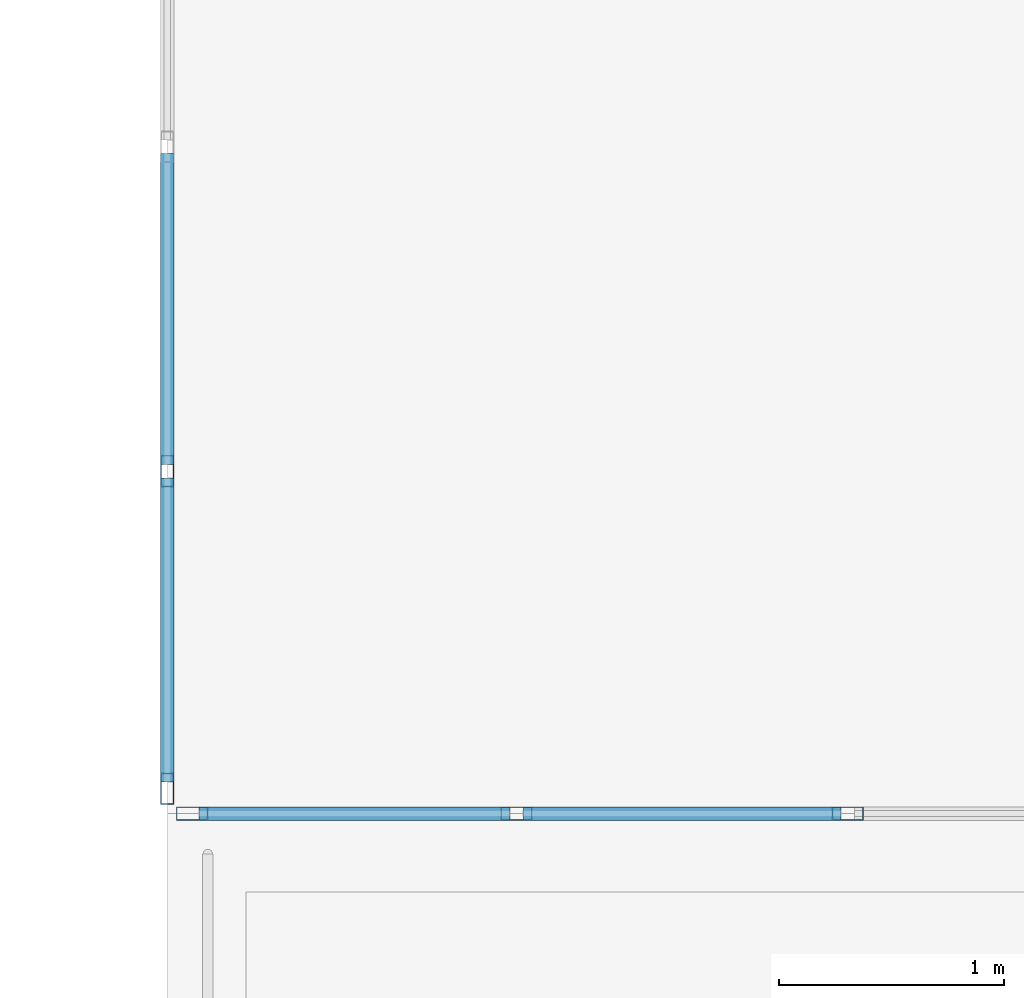
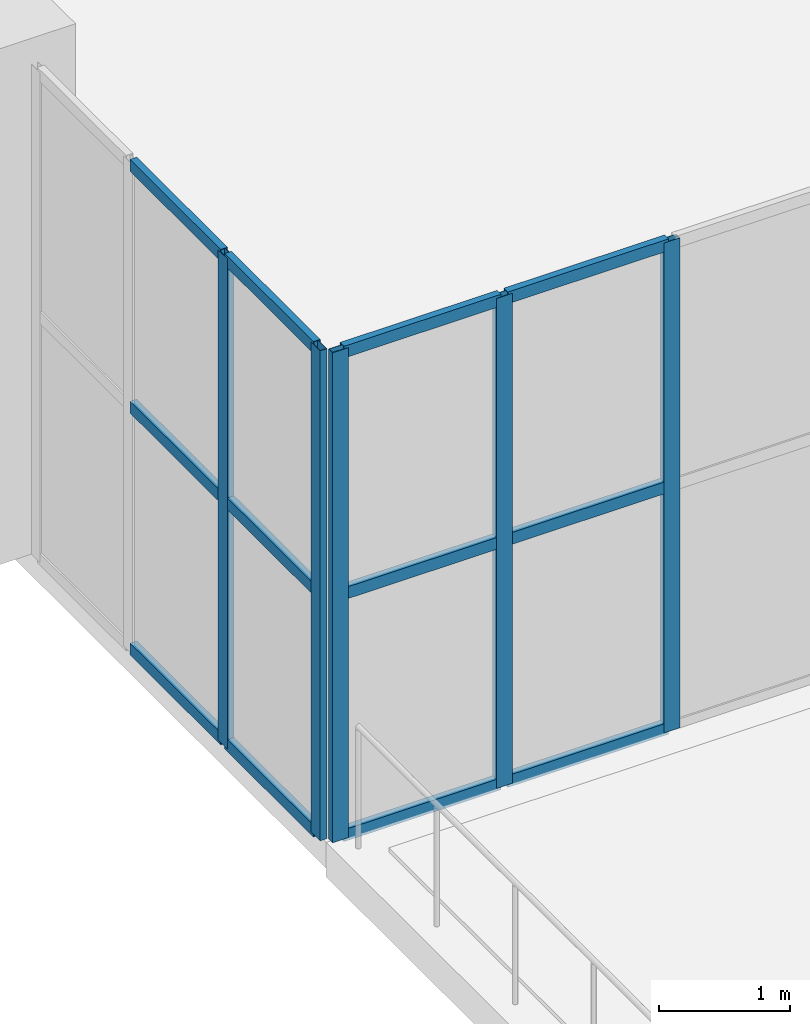
# One storey, part 43 of 158: 17 members, 2 elements without a shape of their own.
"""IFC4 building model written with IfcOpenShell, lengths in metres."""

from ifc_helpers import new_model, si_unit, direction, frame, origin, origin_2d, place, context, subcontext, project, spatial, hollow_rectangle, extrude, material, layer, layer_set, material_profile, profile_set, type_object, element, aggregate, save


model = new_model("IFC4")

# Units and contexts
model_context = context("Model", 3, precision=1e-05, world=origin(), true_north=direction((0.0, 1.0)))
body_context = subcontext(model_context, "Body", "Model", "MODEL_VIEW")
ifc_project = project(units=[si_unit("LENGTHUNIT", "METRE"), si_unit("AREAUNIT", "SQUARE_METRE"), si_unit("VOLUMEUNIT", "CUBIC_METRE"), si_unit("PLANEANGLEUNIT", "RADIAN"), si_unit("MASSUNIT", "GRAM", prefix="KILO")], contexts=[model_context])

# Site, building, storey
site_placement = place(None, origin())
site = spatial("IfcSite", under=ifc_project, at=site_placement, CompositionType="ELEMENT")
building_placement = place(site_placement, origin())
building = spatial("IfcBuilding", under=site, at=building_placement, Name="Trelvath General Hospital", CompositionType="ELEMENT")
storey_placement = place(building_placement, frame((0.0, 0.0, 8.10009765625)))
storey = spatial("IfcBuildingStorey", under=building, at=storey_placement, Name="L02", CompositionType="ELEMENT", Elevation=8.10009765625)

# Curtain wall, members
ifc_material_1 = material(Name="Anodised aluminium and low-E glass", Category="aluminium")
ifc_layer_1 = layer(ifc_material_1, 0.139892578125)
ifc_layer_set_1 = layer_set([ifc_layer_1], Name="Anodised aluminium and low-E glass")
curtain_wall_type_1 = type_object("IfcCurtainWallType", Name="CW CrystalCube 737 456 14", PredefinedType="USERDEFINED", material=ifc_layer_set_1)
curtain_wall_1_placement = place(storey_placement, origin())
curtain_wall_1 = element("IfcCurtainWall", 1, at=curtain_wall_1_placement, inside=storey, type_object=curtain_wall_type_1, Name="Crystal Cube Curtain Wall CUBE-E-T1 S1 L02", ObjectType="Unitised Glazed Curtain Wall", PredefinedType="USERDEFINED")
ifc_material_2 = material(Name="Anodised aluminium", Category="aluminium")
ifc_material_profile_1 = material_profile(ifc_material_2, hollow_rectangle(XDim=0.06005859375, YDim=0.139892578125, WallThickness=0.00390625, at=origin_2d()), Name="RHS60x140x4")
ifc_profile_set_1 = profile_set([ifc_material_profile_1], Name="Anodised aluminium")
member_type_1 = type_object("IfcMemberType", Name="CurtainMullion 60x140", PredefinedType="MULLION", material=ifc_profile_set_1)
member_1_placement = place(storey_placement, frame((95.4267578125, 37.199951171875, 0.0), z_axis=(0.0, 0.0, 1.0), x_axis=(0.0, -1.0, 0.0)))
member_1 = element("IfcMember", 2, at=member_1_placement, type_object=member_type_1, Name="CW-205 mullion 4", PredefinedType="MULLION", context=body_context, shape_type="SweptSolid", body=[
    extrude(hollow_rectangle(XDim=0.06005859375, YDim=0.139892578125, WallThickness=0.00390625, at=origin_2d()), origin(), (0.0, 0.0, 1.0), 4.559814453125),
])
member_2_placement = place(storey_placement, frame((93.953369140625, 37.199951171875, 0.0), z_axis=(0.0, 0.0, 1.0), x_axis=(0.0, -1.0, 0.0)))
member_2 = element("IfcMember", 3, at=member_2_placement, type_object=member_type_1, Name="CW-205 mullion 5", PredefinedType="MULLION", context=body_context, shape_type="SweptSolid", body=[
    extrude(hollow_rectangle(XDim=0.06005859375, YDim=0.139892578125, WallThickness=0.00390625, at=origin_2d()), origin(), (0.0, 0.0, 1.0), 4.559814453125),
])
member_3_placement = place(storey_placement, frame((92.510009765625, 37.199951171875, 0.0), z_axis=(0.0, 0.0, 1.0), x_axis=(0.0, -1.0, 0.0)))
member_3 = element("IfcMember", 4, at=member_3_placement, type_object=member_type_1, Name="CW-205 mullion 6", PredefinedType="MULLION", context=body_context, shape_type="SweptSolid", body=[
    extrude(hollow_rectangle(XDim=0.06005859375, YDim=0.139892578125, WallThickness=0.00390625, at=origin_2d()), origin(), (0.0, 0.0, 1.0), 4.559814453125),
])

ifc_material_3 = material(Name="Anodised aluminium and low-E glass", Category="aluminium")
ifc_layer_2 = layer(ifc_material_3, 0.139892578125)
ifc_layer_set_2 = layer_set([ifc_layer_2], Name="Anodised aluminium and low-E glass")
curtain_wall_type_2 = type_object("IfcCurtainWallType", Name="CW CrystalCube 433 456 14", PredefinedType="USERDEFINED", material=ifc_layer_set_2)
curtain_wall_2_placement = place(storey_placement, origin())
curtain_wall_2 = element("IfcCurtainWall", 5, at=curtain_wall_2_placement, inside=storey, type_object=curtain_wall_type_2, Name="Crystal Cube Curtain Wall CUBE-E-T1 W1 L02", ObjectType="Unitised Glazed Curtain Wall", PredefinedType="USERDEFINED")
member_4_placement = place(storey_placement, frame((92.39990234375, 37.31005859375, 0.0), z_axis=(0.0, 0.0, 1.0), x_axis=(-1.0, 0.0, 0.0)))
member_4 = element("IfcMember", 6, at=member_4_placement, type_object=member_type_1, Name="CW-212 mullion 1", PredefinedType="MULLION", context=body_context, shape_type="SweptSolid", body=[
    extrude(hollow_rectangle(XDim=0.06005859375, YDim=0.139892578125, WallThickness=0.00390625, at=origin_2d()), origin(), (0.0, 0.0, 1.0), 4.559814453125),
])
member_5_placement = place(storey_placement, frame((92.39990234375, 38.723388671875, 0.0), z_axis=(0.0, 0.0, 1.0), x_axis=(-1.0, 0.0, 0.0)))
member_5 = element("IfcMember", 7, at=member_5_placement, type_object=member_type_1, Name="CW-212 mullion 2", PredefinedType="MULLION", context=body_context, shape_type="SweptSolid", body=[
    extrude(hollow_rectangle(XDim=0.06005859375, YDim=0.139892578125, WallThickness=0.00390625, at=origin_2d()), origin(), (0.0, 0.0, 1.0), 4.559814453125),
])

# Member
ifc_material_4 = material(Name="Anodised aluminium", Category="aluminium")
ifc_material_profile_2 = material_profile(ifc_material_4, hollow_rectangle(XDim=0.06005859375, YDim=0.110107421875, WallThickness=0.00390625, at=origin_2d()), Name="RHS60x110x4")
ifc_profile_set_2 = profile_set([ifc_material_profile_2], Name="Anodised aluminium")
member_type_2 = type_object("IfcMemberType", Name="CurtainTransom 60x110", PredefinedType="USERDEFINED", material=ifc_profile_set_2)
member_6_placement = place(storey_placement, frame((95.396728515625, 37.199951171875, 0.02978515625), z_axis=(-1.0, 0.0, 0.0), x_axis=(0.0, -1.0, 0.0)))
member_6 = element("IfcMember", 8, at=member_6_placement, type_object=member_type_2, Name="CW-205 transom 4.1", ObjectType="TRANSOM", PredefinedType="USERDEFINED", context=body_context, shape_type="SweptSolid", body=[
    extrude(hollow_rectangle(XDim=0.06005859375, YDim=0.110107421875, WallThickness=0.00390625, at=origin_2d()), origin(), (0.0, 0.0, 1.0), 1.413330078125),
])

member_7_placement = place(storey_placement, frame((95.396728515625, 37.199951171875, 2.27978515625), z_axis=(-1.0, 0.0, 0.0), x_axis=(0.0, -1.0, 0.0)))
member_7 = element("IfcMember", 9, at=member_7_placement, type_object=member_type_2, Name="CW-205 transom 4.2", ObjectType="TRANSOM", PredefinedType="USERDEFINED", context=body_context, shape_type="SweptSolid", body=[
    extrude(hollow_rectangle(XDim=0.06005859375, YDim=0.110107421875, WallThickness=0.00390625, at=origin_2d()), origin(), (0.0, 0.0, 1.0), 1.413330078125),
])

member_8_placement = place(storey_placement, frame((95.396728515625, 37.199951171875, 4.52978515625), z_axis=(-1.0, 0.0, 0.0), x_axis=(0.0, -1.0, 0.0)))
member_8 = element("IfcMember", 10, at=member_8_placement, type_object=member_type_2, Name="CW-205 transom 4.3", ObjectType="TRANSOM", PredefinedType="USERDEFINED", context=body_context, shape_type="SweptSolid", body=[
    extrude(hollow_rectangle(XDim=0.06005859375, YDim=0.110107421875, WallThickness=0.00390625, at=origin_2d()), origin(), (0.0, 0.0, 1.0), 1.413330078125),
])

member_9_placement = place(storey_placement, frame((93.92333984375, 37.199951171875, 0.02978515625), z_axis=(-1.0, 0.0, 0.0), x_axis=(0.0, -1.0, 0.0)))
member_9 = element("IfcMember", 11, at=member_9_placement, type_object=member_type_2, Name="CW-205 transom 5.1", ObjectType="TRANSOM", PredefinedType="USERDEFINED", context=body_context, shape_type="SweptSolid", body=[
    extrude(hollow_rectangle(XDim=0.06005859375, YDim=0.110107421875, WallThickness=0.00390625, at=origin_2d()), origin(), (0.0, 0.0, 1.0), 1.38330078125),
])

member_10_placement = place(storey_placement, frame((93.92333984375, 37.199951171875, 2.27978515625), z_axis=(-1.0, 0.0, 0.0), x_axis=(0.0, -1.0, 0.0)))
member_10 = element("IfcMember", 12, at=member_10_placement, type_object=member_type_2, Name="CW-205 transom 5.2", ObjectType="TRANSOM", PredefinedType="USERDEFINED", context=body_context, shape_type="SweptSolid", body=[
    extrude(hollow_rectangle(XDim=0.06005859375, YDim=0.110107421875, WallThickness=0.00390625, at=origin_2d()), origin(), (0.0, 0.0, 1.0), 1.38330078125),
])

member_11_placement = place(storey_placement, frame((93.92333984375, 37.199951171875, 4.52978515625), z_axis=(-1.0, 0.0, 0.0), x_axis=(0.0, -1.0, 0.0)))
member_11 = element("IfcMember", 13, at=member_11_placement, type_object=member_type_2, Name="CW-205 transom 5.3", ObjectType="TRANSOM", PredefinedType="USERDEFINED", context=body_context, shape_type="SweptSolid", body=[
    extrude(hollow_rectangle(XDim=0.06005859375, YDim=0.110107421875, WallThickness=0.00390625, at=origin_2d()), origin(), (0.0, 0.0, 1.0), 1.38330078125),
])

aggregate(curtain_wall_1, [member_1, member_2, member_3, member_6, member_7, member_8, member_9, member_10, member_11])

member_12_placement = place(storey_placement, frame((92.39990234375, 37.340087890625, 0.02978515625), z_axis=(0.0, 1.0, 0.0), x_axis=(-1.0, 0.0, 0.0)))
member_12 = element("IfcMember", 14, at=member_12_placement, type_object=member_type_2, Name="CW-212 transom 1.1", ObjectType="TRANSOM", PredefinedType="USERDEFINED", context=body_context, shape_type="SweptSolid", body=[
    extrude(hollow_rectangle(XDim=0.06005859375, YDim=0.110107421875, WallThickness=0.00390625, at=origin_2d()), origin(), (0.0, 0.0, 1.0), 1.353271484375),
])

member_13_placement = place(storey_placement, frame((92.39990234375, 37.340087890625, 2.27978515625), z_axis=(0.0, 1.0, 0.0), x_axis=(-1.0, 0.0, 0.0)))
member_13 = element("IfcMember", 15, at=member_13_placement, type_object=member_type_2, Name="CW-212 transom 1.2", ObjectType="TRANSOM", PredefinedType="USERDEFINED", context=body_context, shape_type="SweptSolid", body=[
    extrude(hollow_rectangle(XDim=0.06005859375, YDim=0.110107421875, WallThickness=0.00390625, at=origin_2d()), origin(), (0.0, 0.0, 1.0), 1.353271484375),
])

member_14_placement = place(storey_placement, frame((92.39990234375, 37.340087890625, 4.52978515625), z_axis=(0.0, 1.0, 0.0), x_axis=(-1.0, 0.0, 0.0)))
member_14 = element("IfcMember", 16, at=member_14_placement, type_object=member_type_2, Name="CW-212 transom 1.3", ObjectType="TRANSOM", PredefinedType="USERDEFINED", context=body_context, shape_type="SweptSolid", body=[
    extrude(hollow_rectangle(XDim=0.06005859375, YDim=0.110107421875, WallThickness=0.00390625, at=origin_2d()), origin(), (0.0, 0.0, 1.0), 1.353271484375),
])

member_15_placement = place(storey_placement, frame((92.39990234375, 38.75341796875, 0.02978515625), z_axis=(0.0, 1.0, 0.0), x_axis=(-1.0, 0.0, 0.0)))
member_15 = element("IfcMember", 17, at=member_15_placement, type_object=member_type_2, Name="CW-212 transom 2.1", ObjectType="TRANSOM", PredefinedType="USERDEFINED", context=body_context, shape_type="SweptSolid", body=[
    extrude(hollow_rectangle(XDim=0.06005859375, YDim=0.110107421875, WallThickness=0.00390625, at=origin_2d()), origin(), (0.0, 0.0, 1.0), 1.38330078125),
])

member_16_placement = place(storey_placement, frame((92.39990234375, 38.75341796875, 2.27978515625), z_axis=(0.0, 1.0, 0.0), x_axis=(-1.0, 0.0, 0.0)))
member_16 = element("IfcMember", 18, at=member_16_placement, type_object=member_type_2, Name="CW-212 transom 2.2", ObjectType="TRANSOM", PredefinedType="USERDEFINED", context=body_context, shape_type="SweptSolid", body=[
    extrude(hollow_rectangle(XDim=0.06005859375, YDim=0.110107421875, WallThickness=0.00390625, at=origin_2d()), origin(), (0.0, 0.0, 1.0), 1.38330078125),
])

member_17_placement = place(storey_placement, frame((92.39990234375, 38.75341796875, 4.52978515625), z_axis=(0.0, 1.0, 0.0), x_axis=(-1.0, 0.0, 0.0)))
member_17 = element("IfcMember", 19, at=member_17_placement, type_object=member_type_2, Name="CW-212 transom 2.3", ObjectType="TRANSOM", PredefinedType="USERDEFINED", context=body_context, shape_type="SweptSolid", body=[
    extrude(hollow_rectangle(XDim=0.06005859375, YDim=0.110107421875, WallThickness=0.00390625, at=origin_2d()), origin(), (0.0, 0.0, 1.0), 1.38330078125),
])

aggregate(curtain_wall_2, [member_4, member_5, member_12, member_13, member_14, member_15, member_16, member_17])

save(model, "model.ifc")
